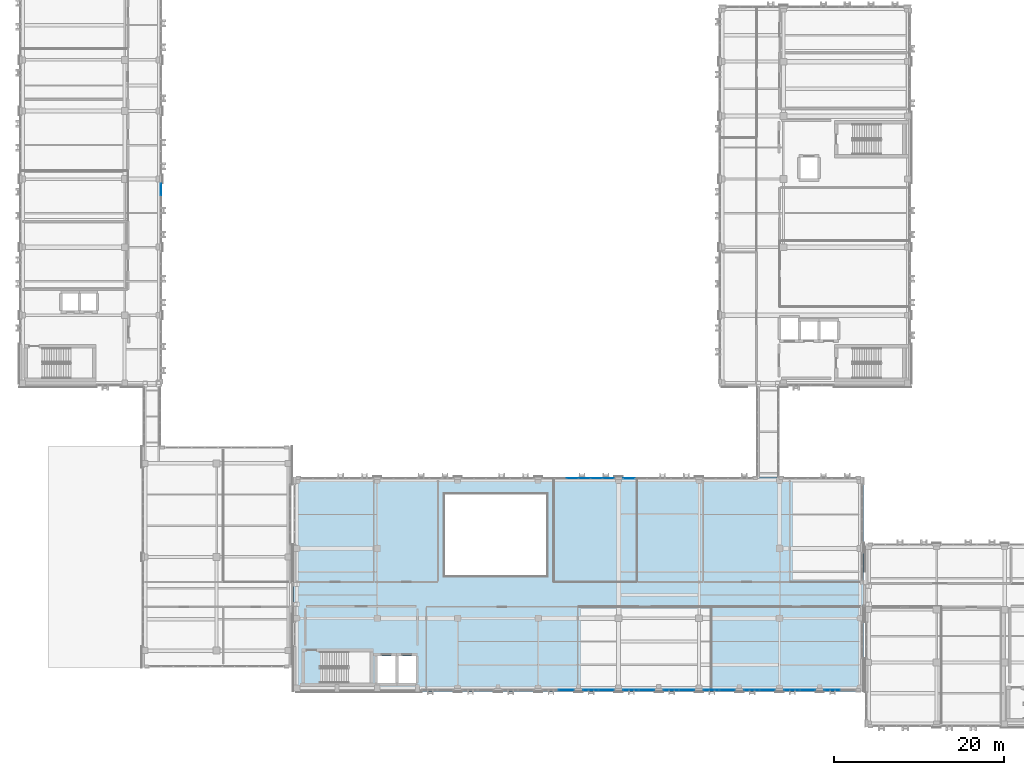
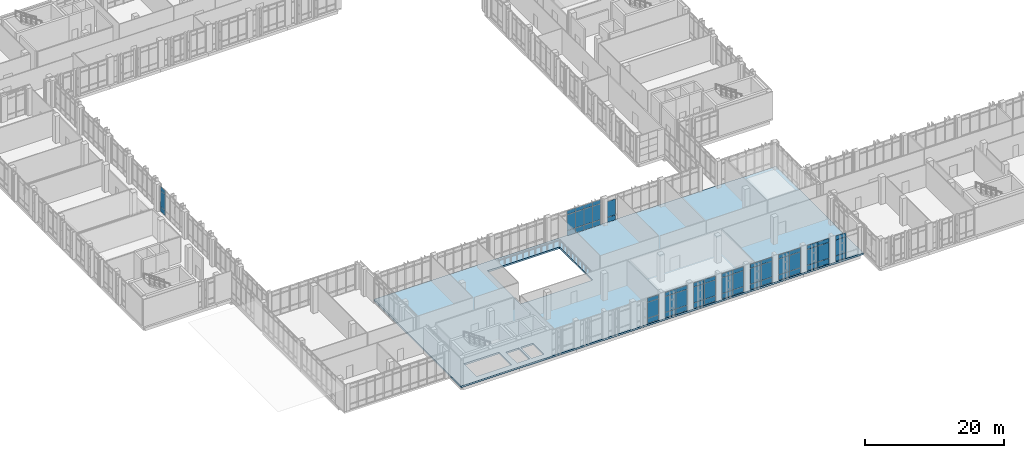
# One storey, part 134 of 189: 59 plates, 1 slab, 11 elements without a shape of their own.
"""IFC4 building model written with IfcOpenShell, lengths in metres."""

from ifc_helpers import new_model, si_unit, direction, frame, origin, origin_2d, place, context, subcontext, project, spatial, polyline, rectangle, outline, extrude, material, layer, layer_set, type_object, element, aggregate, save


model = new_model("IFC4")

# Units and contexts
model_context = context("Model", 3, precision=1e-05, world=origin(), true_north=direction((0.0, 1.0)))
body_context = subcontext(model_context, "Body", "Model", "MODEL_VIEW")
ifc_project = project(units=[si_unit("LENGTHUNIT", "METRE"), si_unit("AREAUNIT", "SQUARE_METRE"), si_unit("VOLUMEUNIT", "CUBIC_METRE"), si_unit("PLANEANGLEUNIT", "RADIAN"), si_unit("MASSUNIT", "GRAM", prefix="KILO")], contexts=[model_context])

# Site, building, storey
site_placement = place(None, origin())
site = spatial("IfcSite", under=ifc_project, at=site_placement, CompositionType="ELEMENT")
building_placement = place(site_placement, origin())
building = spatial("IfcBuilding", under=site, at=building_placement, Name="Qalavern Law Courts", CompositionType="ELEMENT")
storey_placement = place(building_placement, frame((0.0, 0.0, 5.39990234375)))
storey = spatial("IfcBuildingStorey", under=building, at=storey_placement, Name="L01", CompositionType="ELEMENT", Elevation=5.39990234375)

# Curtain wall, plates
ifc_material_1 = material(Name="Anodised aluminium and insulated glazing", Category="aluminium")
ifc_layer_1 = layer(ifc_material_1, 0.18505859375)
ifc_layer_set_1 = layer_set([ifc_layer_1], Name="Anodised aluminium and insulated glazing")
curtain_wall_type_1 = type_object("IfcCurtainWallType", Name="ENV-CW-HALL", PredefinedType="USERDEFINED", material=ifc_layer_set_1)
curtain_wall_1_placement = place(storey_placement, origin())
curtain_wall_1 = element("IfcCurtainWall", 1, at=curtain_wall_1_placement, inside=storey, type_object=curtain_wall_type_1, Name="V2 unitised curtain wall L01 south 4", ObjectType="UNITISED CURTAIN WALL", PredefinedType="USERDEFINED")
ifc_material_2 = material(Name="Insulated low-E acoustic glazing", Category="glass")
ifc_layer_2 = layer(ifc_material_2, 0.02392578125)
ifc_layer_set_2 = layer_set([ifc_layer_2], Name="Insulated low-E acoustic glazing")
plate_type_1 = type_object("IfcPlateType", Name="ENV-CWP-24", PredefinedType="CURTAIN_PANEL", material=ifc_layer_set_2)
plate_1_placement = place(storey_placement, frame((66.26611328125, 5.362548828125, 0.048095703125), z_axis=(0.0, 0.0, 1.0), x_axis=(1.0, 0.0, 0.0)))
plate_1 = element("IfcPlate", 2, at=plate_1_placement, type_object=plate_type_1, Name="CW-02 panel 2.1", PredefinedType="CURTAIN_PANEL", context=body_context, shape_type="SweptSolid", body=[
    extrude(rectangle(XDim=1.79150390625, YDim=0.02392578125, at=origin_2d()), origin(), (0.0, 0.0, 1.0), 0.8779296875),
])
plate_2_placement = place(storey_placement, frame((66.26611328125, 5.362548828125, 0.97412109375), z_axis=(0.0, 0.0, 1.0), x_axis=(1.0, 0.0, 0.0)))
plate_2 = element("IfcPlate", 3, at=plate_2_placement, type_object=plate_type_1, Name="CW-02 panel 2.2", PredefinedType="CURTAIN_PANEL", context=body_context, shape_type="SweptSolid", body=[
    extrude(rectangle(XDim=1.79150390625, YDim=0.02392578125, at=origin_2d()), origin(), (0.0, 0.0, 1.0), 2.761962890625),
])
plate_3_placement = place(storey_placement, frame((66.26611328125, 5.362548828125, 3.7841796875), z_axis=(0.0, 0.0, 1.0), x_axis=(1.0, 0.0, 0.0)))
plate_3 = element("IfcPlate", 4, at=plate_3_placement, type_object=plate_type_1, Name="CW-02 panel 2.3", PredefinedType="CURTAIN_PANEL", context=body_context, shape_type="SweptSolid", body=[
    extrude(rectangle(XDim=1.79150390625, YDim=0.02392578125, at=origin_2d()), origin(), (0.0, 0.0, 1.0), 0.677978515625),
])
aggregate(curtain_wall_1, [plate_1, plate_2, plate_3])

curtain_wall_2_placement = place(storey_placement, origin())
curtain_wall_2 = element("IfcCurtainWall", 5, at=curtain_wall_2_placement, inside=storey, type_object=curtain_wall_type_1, Name="V2 unitised curtain wall L01 north 3", ObjectType="UNITISED CURTAIN WALL", PredefinedType="USERDEFINED")
plate_4_placement = place(storey_placement, frame((71.220703125, 30.237548828125, 0.048095703125), z_axis=(0.0, 0.0, 1.0), x_axis=(-1.0, 0.0, 0.0)))
plate_4 = element("IfcPlate", 6, at=plate_4_placement, type_object=plate_type_1, Name="CW-02 panel 1.1", PredefinedType="CURTAIN_PANEL", context=body_context, shape_type="SweptSolid", body=[
    extrude(rectangle(XDim=1.3369140625, YDim=0.02392578125, at=origin_2d()), origin(), (0.0, 0.0, 1.0), 0.8779296875),
])
plate_5_placement = place(storey_placement, frame((71.220703125, 30.237548828125, 0.97412109375), z_axis=(0.0, 0.0, 1.0), x_axis=(-1.0, 0.0, 0.0)))
plate_5 = element("IfcPlate", 7, at=plate_5_placement, type_object=plate_type_1, Name="CW-02 panel 1.2", PredefinedType="CURTAIN_PANEL", context=body_context, shape_type="SweptSolid", body=[
    extrude(rectangle(XDim=1.3369140625, YDim=0.02392578125, at=origin_2d()), origin(), (0.0, 0.0, 1.0), 2.761962890625),
])
plate_6_placement = place(storey_placement, frame((71.220703125, 30.237548828125, 3.7841796875), z_axis=(0.0, 0.0, 1.0), x_axis=(-1.0, 0.0, 0.0)))
plate_6 = element("IfcPlate", 8, at=plate_6_placement, type_object=plate_type_1, Name="CW-02 panel 1.3", PredefinedType="CURTAIN_PANEL", context=body_context, shape_type="SweptSolid", body=[
    extrude(rectangle(XDim=1.3369140625, YDim=0.02392578125, at=origin_2d()), origin(), (0.0, 0.0, 1.0), 0.677978515625),
])
plate_7_placement = place(storey_placement, frame((69.823486328125, 30.237548828125, 0.048095703125), z_axis=(0.0, 0.0, 1.0), x_axis=(-1.0, 0.0, 0.0)))
plate_7 = element("IfcPlate", 9, at=plate_7_placement, type_object=plate_type_1, Name="CW-02 panel 2.1", PredefinedType="CURTAIN_PANEL", context=body_context, shape_type="SweptSolid", body=[
    extrude(rectangle(XDim=1.361083984375, YDim=0.02392578125, at=origin_2d()), origin(), (0.0, 0.0, 1.0), 0.8779296875),
])
plate_8_placement = place(storey_placement, frame((69.823486328125, 30.237548828125, 0.97412109375), z_axis=(0.0, 0.0, 1.0), x_axis=(-1.0, 0.0, 0.0)))
plate_8 = element("IfcPlate", 10, at=plate_8_placement, type_object=plate_type_1, Name="CW-02 panel 2.2", PredefinedType="CURTAIN_PANEL", context=body_context, shape_type="SweptSolid", body=[
    extrude(rectangle(XDim=1.361083984375, YDim=0.02392578125, at=origin_2d()), origin(), (0.0, 0.0, 1.0), 2.761962890625),
])
plate_9_placement = place(storey_placement, frame((69.823486328125, 30.237548828125, 3.7841796875), z_axis=(0.0, 0.0, 1.0), x_axis=(-1.0, 0.0, 0.0)))
plate_9 = element("IfcPlate", 11, at=plate_9_placement, type_object=plate_type_1, Name="CW-02 panel 2.3", PredefinedType="CURTAIN_PANEL", context=body_context, shape_type="SweptSolid", body=[
    extrude(rectangle(XDim=1.361083984375, YDim=0.02392578125, at=origin_2d()), origin(), (0.0, 0.0, 1.0), 0.677978515625),
])
plate_10_placement = place(storey_placement, frame((68.41455078125, 30.237548828125, 0.048095703125), z_axis=(0.0, 0.0, 1.0), x_axis=(-1.0, 0.0, 0.0)))
plate_10 = element("IfcPlate", 12, at=plate_10_placement, type_object=plate_type_1, Name="CW-02 panel 3.1", PredefinedType="CURTAIN_PANEL", context=body_context, shape_type="SweptSolid", body=[
    extrude(rectangle(XDim=1.361083984375, YDim=0.02392578125, at=origin_2d()), origin(), (0.0, 0.0, 1.0), 0.8779296875),
])
plate_11_placement = place(storey_placement, frame((68.41455078125, 30.237548828125, 0.97412109375), z_axis=(0.0, 0.0, 1.0), x_axis=(-1.0, 0.0, 0.0)))
plate_11 = element("IfcPlate", 13, at=plate_11_placement, type_object=plate_type_1, Name="CW-02 panel 3.2", PredefinedType="CURTAIN_PANEL", context=body_context, shape_type="SweptSolid", body=[
    extrude(rectangle(XDim=1.361083984375, YDim=0.02392578125, at=origin_2d()), origin(), (0.0, 0.0, 1.0), 2.761962890625),
])
plate_12_placement = place(storey_placement, frame((68.41455078125, 30.237548828125, 3.7841796875), z_axis=(0.0, 0.0, 1.0), x_axis=(-1.0, 0.0, 0.0)))
plate_12 = element("IfcPlate", 14, at=plate_12_placement, type_object=plate_type_1, Name="CW-02 panel 3.3", PredefinedType="CURTAIN_PANEL", context=body_context, shape_type="SweptSolid", body=[
    extrude(rectangle(XDim=1.361083984375, YDim=0.02392578125, at=origin_2d()), origin(), (0.0, 0.0, 1.0), 0.677978515625),
])
plate_13_placement = place(storey_placement, frame((67.00537109375, 30.237548828125, 0.048095703125), z_axis=(0.0, 0.0, 1.0), x_axis=(-1.0, 0.0, 0.0)))
plate_13 = element("IfcPlate", 15, at=plate_13_placement, type_object=plate_type_1, Name="CW-02 panel 4.1", PredefinedType="CURTAIN_PANEL", context=body_context, shape_type="SweptSolid", body=[
    extrude(rectangle(XDim=1.361083984375, YDim=0.02392578125, at=origin_2d()), origin(), (0.0, 0.0, 1.0), 0.8779296875),
])
plate_14_placement = place(storey_placement, frame((67.00537109375, 30.237548828125, 0.97412109375), z_axis=(0.0, 0.0, 1.0), x_axis=(-1.0, 0.0, 0.0)))
plate_14 = element("IfcPlate", 16, at=plate_14_placement, type_object=plate_type_1, Name="CW-02 panel 4.2", PredefinedType="CURTAIN_PANEL", context=body_context, shape_type="SweptSolid", body=[
    extrude(rectangle(XDim=1.361083984375, YDim=0.02392578125, at=origin_2d()), origin(), (0.0, 0.0, 1.0), 2.761962890625),
])
plate_15_placement = place(storey_placement, frame((67.00537109375, 30.237548828125, 3.7841796875), z_axis=(0.0, 0.0, 1.0), x_axis=(-1.0, 0.0, 0.0)))
plate_15 = element("IfcPlate", 17, at=plate_15_placement, type_object=plate_type_1, Name="CW-02 panel 4.3", PredefinedType="CURTAIN_PANEL", context=body_context, shape_type="SweptSolid", body=[
    extrude(rectangle(XDim=1.361083984375, YDim=0.02392578125, at=origin_2d()), origin(), (0.0, 0.0, 1.0), 0.677978515625),
])
aggregate(curtain_wall_2, [plate_4, plate_5, plate_6, plate_7, plate_8, plate_9, plate_10, plate_11, plate_12, plate_13, plate_14, plate_15])

curtain_wall_3_placement = place(storey_placement, origin())
curtain_wall_3 = element("IfcCurtainWall", 18, at=curtain_wall_3_placement, inside=storey, type_object=curtain_wall_type_1, Name="V2 unitised curtain wall L01 south 5", ObjectType="UNITISED CURTAIN WALL", PredefinedType="USERDEFINED")
ifc_layer_3 = layer(ifc_material_2, 0.028076171875)
ifc_layer_set_3 = layer_set([ifc_layer_3], Name="Insulated low-E acoustic glazing")
plate_type_2 = type_object("IfcPlateType", Name="ENV-CWP-28", PredefinedType="CURTAIN_PANEL", material=ifc_layer_set_3)
plate_16_placement = place(storey_placement, frame((69.15380859375, 5.362548828125, 0.048095703125), z_axis=(0.0, 0.0, 1.0), x_axis=(1.0, 0.0, 0.0)))
plate_16 = element("IfcPlate", 19, at=plate_16_placement, type_object=plate_type_2, Name="CW-02 panel 1.1", PredefinedType="CURTAIN_PANEL", context=body_context, shape_type="SweptSolid", body=[
    extrude(rectangle(XDim=1.79150390625, YDim=0.028076171875, at=origin_2d()), origin(), (0.0, 0.0, 1.0), 0.8779296875),
])
plate_17_placement = place(storey_placement, frame((69.15380859375, 5.362548828125, 0.97412109375), z_axis=(0.0, 0.0, 1.0), x_axis=(1.0, 0.0, 0.0)))
plate_17 = element("IfcPlate", 20, at=plate_17_placement, type_object=plate_type_2, Name="CW-02 panel 1.2", PredefinedType="CURTAIN_PANEL", context=body_context, shape_type="SweptSolid", body=[
    extrude(rectangle(XDim=1.79150390625, YDim=0.028076171875, at=origin_2d()), origin(), (0.0, 0.0, 1.0), 2.761962890625),
])
plate_18_placement = place(storey_placement, frame((69.15380859375, 5.362548828125, 3.7841796875), z_axis=(0.0, 0.0, 1.0), x_axis=(1.0, 0.0, 0.0)))
plate_18 = element("IfcPlate", 21, at=plate_18_placement, type_object=plate_type_2, Name="CW-02 panel 1.3", PredefinedType="CURTAIN_PANEL", context=body_context, shape_type="SweptSolid", body=[
    extrude(rectangle(XDim=1.79150390625, YDim=0.028076171875, at=origin_2d()), origin(), (0.0, 0.0, 1.0), 0.677978515625),
])
plate_19_placement = place(storey_placement, frame((70.993408203125, 5.362548828125, 0.048095703125), z_axis=(0.0, 0.0, 1.0), x_axis=(1.0, 0.0, 0.0)))
plate_19 = element("IfcPlate", 22, at=plate_19_placement, type_object=plate_type_2, Name="CW-02 panel 2.1", PredefinedType="CURTAIN_PANEL", context=body_context, shape_type="SweptSolid", body=[
    extrude(rectangle(XDim=1.79150390625, YDim=0.028076171875, at=origin_2d()), origin(), (0.0, 0.0, 1.0), 0.8779296875),
])
plate_20_placement = place(storey_placement, frame((70.993408203125, 5.362548828125, 0.97412109375), z_axis=(0.0, 0.0, 1.0), x_axis=(1.0, 0.0, 0.0)))
plate_20 = element("IfcPlate", 23, at=plate_20_placement, type_object=plate_type_2, Name="CW-02 panel 2.2", PredefinedType="CURTAIN_PANEL", context=body_context, shape_type="SweptSolid", body=[
    extrude(rectangle(XDim=1.79150390625, YDim=0.028076171875, at=origin_2d()), origin(), (0.0, 0.0, 1.0), 2.761962890625),
])
plate_21_placement = place(storey_placement, frame((70.993408203125, 5.362548828125, 3.7841796875), z_axis=(0.0, 0.0, 1.0), x_axis=(1.0, 0.0, 0.0)))
plate_21 = element("IfcPlate", 24, at=plate_21_placement, type_object=plate_type_2, Name="CW-02 panel 2.3", PredefinedType="CURTAIN_PANEL", context=body_context, shape_type="SweptSolid", body=[
    extrude(rectangle(XDim=1.79150390625, YDim=0.028076171875, at=origin_2d()), origin(), (0.0, 0.0, 1.0), 0.677978515625),
])
aggregate(curtain_wall_3, [plate_16, plate_17, plate_18, plate_19, plate_20, plate_21])

curtain_wall_4_placement = place(storey_placement, origin())
curtain_wall_4 = element("IfcCurtainWall", 25, at=curtain_wall_4_placement, inside=storey, type_object=curtain_wall_type_1, Name="V2 unitised curtain wall L01 south 6", ObjectType="UNITISED CURTAIN WALL", PredefinedType="USERDEFINED")
ifc_layer_4 = layer(ifc_material_2, 0.031982421875)
ifc_layer_set_4 = layer_set([ifc_layer_4], Name="Insulated low-E acoustic glazing")
plate_type_3 = type_object("IfcPlateType", Name="ENV-CWP-32", PredefinedType="CURTAIN_PANEL", material=ifc_layer_set_4)
plate_22_placement = place(storey_placement, frame((73.880859375, 5.362548828125, 0.048095703125), z_axis=(0.0, 0.0, 1.0), x_axis=(1.0, 0.0, 0.0)))
plate_22 = element("IfcPlate", 26, at=plate_22_placement, type_object=plate_type_3, Name="CW-02 panel 1.1", PredefinedType="CURTAIN_PANEL", context=body_context, shape_type="SweptSolid", body=[
    extrude(rectangle(XDim=1.79150390625, YDim=0.031982421875, at=origin_2d()), origin(), (0.0, 0.0, 1.0), 0.8779296875),
])
plate_23_placement = place(storey_placement, frame((73.880859375, 5.362548828125, 0.97412109375), z_axis=(0.0, 0.0, 1.0), x_axis=(1.0, 0.0, 0.0)))
plate_23 = element("IfcPlate", 27, at=plate_23_placement, type_object=plate_type_3, Name="CW-02 panel 1.2", PredefinedType="CURTAIN_PANEL", context=body_context, shape_type="SweptSolid", body=[
    extrude(rectangle(XDim=1.79150390625, YDim=0.031982421875, at=origin_2d()), origin(), (0.0, 0.0, 1.0), 2.761962890625),
])
plate_24_placement = place(storey_placement, frame((73.880859375, 5.362548828125, 3.7841796875), z_axis=(0.0, 0.0, 1.0), x_axis=(1.0, 0.0, 0.0)))
plate_24 = element("IfcPlate", 28, at=plate_24_placement, type_object=plate_type_3, Name="CW-02 panel 1.3", PredefinedType="CURTAIN_PANEL", context=body_context, shape_type="SweptSolid", body=[
    extrude(rectangle(XDim=1.79150390625, YDim=0.031982421875, at=origin_2d()), origin(), (0.0, 0.0, 1.0), 0.677978515625),
])
plate_25_placement = place(storey_placement, frame((75.72021484375, 5.362548828125, 0.048095703125), z_axis=(0.0, 0.0, 1.0), x_axis=(1.0, 0.0, 0.0)))
plate_25 = element("IfcPlate", 29, at=plate_25_placement, type_object=plate_type_3, Name="CW-02 panel 2.1", PredefinedType="CURTAIN_PANEL", context=body_context, shape_type="SweptSolid", body=[
    extrude(rectangle(XDim=1.79150390625, YDim=0.031982421875, at=origin_2d()), origin(), (0.0, 0.0, 1.0), 0.8779296875),
])
plate_26_placement = place(storey_placement, frame((75.72021484375, 5.362548828125, 0.97412109375), z_axis=(0.0, 0.0, 1.0), x_axis=(1.0, 0.0, 0.0)))
plate_26 = element("IfcPlate", 30, at=plate_26_placement, type_object=plate_type_3, Name="CW-02 panel 2.2", PredefinedType="CURTAIN_PANEL", context=body_context, shape_type="SweptSolid", body=[
    extrude(rectangle(XDim=1.79150390625, YDim=0.031982421875, at=origin_2d()), origin(), (0.0, 0.0, 1.0), 2.761962890625),
])
plate_27_placement = place(storey_placement, frame((75.72021484375, 5.362548828125, 3.7841796875), z_axis=(0.0, 0.0, 1.0), x_axis=(1.0, 0.0, 0.0)))
plate_27 = element("IfcPlate", 31, at=plate_27_placement, type_object=plate_type_3, Name="CW-02 panel 2.3", PredefinedType="CURTAIN_PANEL", context=body_context, shape_type="SweptSolid", body=[
    extrude(rectangle(XDim=1.79150390625, YDim=0.031982421875, at=origin_2d()), origin(), (0.0, 0.0, 1.0), 0.677978515625),
])
aggregate(curtain_wall_4, [plate_22, plate_23, plate_24, plate_25, plate_26, plate_27])

curtain_wall_5_placement = place(storey_placement, origin())
curtain_wall_5 = element("IfcCurtainWall", 32, at=curtain_wall_5_placement, inside=storey, type_object=curtain_wall_type_1, Name="V2 unitised curtain wall L01 south 7", ObjectType="UNITISED CURTAIN WALL", PredefinedType="USERDEFINED")
ifc_layer_5 = layer(ifc_material_2, 0.035888671875)
ifc_layer_set_5 = layer_set([ifc_layer_5], Name="Insulated low-E acoustic glazing")
plate_type_4 = type_object("IfcPlateType", Name="ENV-CWP-36", PredefinedType="CURTAIN_PANEL", material=ifc_layer_set_5)
plate_28_placement = place(storey_placement, frame((78.60791015625, 5.362548828125, 0.048095703125), z_axis=(0.0, 0.0, 1.0), x_axis=(1.0, 0.0, 0.0)))
plate_28 = element("IfcPlate", 33, at=plate_28_placement, type_object=plate_type_4, Name="CW-02 panel 1.1", PredefinedType="CURTAIN_PANEL", context=body_context, shape_type="SweptSolid", body=[
    extrude(rectangle(XDim=1.791748046875, YDim=0.035888671875, at=origin_2d()), origin(), (0.0, 0.0, 1.0), 0.8779296875),
])
plate_29_placement = place(storey_placement, frame((78.60791015625, 5.362548828125, 0.97412109375), z_axis=(0.0, 0.0, 1.0), x_axis=(1.0, 0.0, 0.0)))
plate_29 = element("IfcPlate", 34, at=plate_29_placement, type_object=plate_type_4, Name="CW-02 panel 1.2", PredefinedType="CURTAIN_PANEL", context=body_context, shape_type="SweptSolid", body=[
    extrude(rectangle(XDim=1.791748046875, YDim=0.035888671875, at=origin_2d()), origin(), (0.0, 0.0, 1.0), 2.761962890625),
])
plate_30_placement = place(storey_placement, frame((78.60791015625, 5.362548828125, 3.7841796875), z_axis=(0.0, 0.0, 1.0), x_axis=(1.0, 0.0, 0.0)))
plate_30 = element("IfcPlate", 35, at=plate_30_placement, type_object=plate_type_4, Name="CW-02 panel 1.3", PredefinedType="CURTAIN_PANEL", context=body_context, shape_type="SweptSolid", body=[
    extrude(rectangle(XDim=1.791748046875, YDim=0.035888671875, at=origin_2d()), origin(), (0.0, 0.0, 1.0), 0.677978515625),
])
plate_31_placement = place(storey_placement, frame((80.447509765625, 5.362548828125, 0.048095703125), z_axis=(0.0, 0.0, 1.0), x_axis=(1.0, 0.0, 0.0)))
plate_31 = element("IfcPlate", 36, at=plate_31_placement, type_object=plate_type_4, Name="CW-02 panel 2.1", PredefinedType="CURTAIN_PANEL", context=body_context, shape_type="SweptSolid", body=[
    extrude(rectangle(XDim=1.791748046875, YDim=0.035888671875, at=origin_2d()), origin(), (0.0, 0.0, 1.0), 0.8779296875),
])
plate_32_placement = place(storey_placement, frame((80.447509765625, 5.362548828125, 0.97412109375), z_axis=(0.0, 0.0, 1.0), x_axis=(1.0, 0.0, 0.0)))
plate_32 = element("IfcPlate", 37, at=plate_32_placement, type_object=plate_type_4, Name="CW-02 panel 2.2", PredefinedType="CURTAIN_PANEL", context=body_context, shape_type="SweptSolid", body=[
    extrude(rectangle(XDim=1.791748046875, YDim=0.035888671875, at=origin_2d()), origin(), (0.0, 0.0, 1.0), 2.761962890625),
])
plate_33_placement = place(storey_placement, frame((80.447509765625, 5.362548828125, 3.7841796875), z_axis=(0.0, 0.0, 1.0), x_axis=(1.0, 0.0, 0.0)))
plate_33 = element("IfcPlate", 38, at=plate_33_placement, type_object=plate_type_4, Name="CW-02 panel 2.3", PredefinedType="CURTAIN_PANEL", context=body_context, shape_type="SweptSolid", body=[
    extrude(rectangle(XDim=1.791748046875, YDim=0.035888671875, at=origin_2d()), origin(), (0.0, 0.0, 1.0), 0.677978515625),
])
aggregate(curtain_wall_5, [plate_28, plate_29, plate_30, plate_31, plate_32, plate_33])

curtain_wall_6_placement = place(storey_placement, origin())
curtain_wall_6 = element("IfcCurtainWall", 39, at=curtain_wall_6_placement, inside=storey, type_object=curtain_wall_type_1, Name="V2 unitised curtain wall L01 south 8", ObjectType="UNITISED CURTAIN WALL", PredefinedType="USERDEFINED")
ifc_layer_6 = layer(ifc_material_2, 0.0400390625)
ifc_layer_set_6 = layer_set([ifc_layer_6], Name="Insulated low-E acoustic glazing")
plate_type_5 = type_object("IfcPlateType", Name="ENV-CWP-40", PredefinedType="CURTAIN_PANEL", material=ifc_layer_set_6)
plate_34_placement = place(storey_placement, frame((83.335205078125, 5.362548828125, 0.048095703125), z_axis=(0.0, 0.0, 1.0), x_axis=(1.0, 0.0, 0.0)))
plate_34 = element("IfcPlate", 40, at=plate_34_placement, type_object=plate_type_5, Name="CW-02 panel 1.1", PredefinedType="CURTAIN_PANEL", context=body_context, shape_type="SweptSolid", body=[
    extrude(rectangle(XDim=1.791748046875, YDim=0.0400390625, at=origin_2d()), origin(), (0.0, 0.0, 1.0), 0.8779296875),
])
plate_35_placement = place(storey_placement, frame((83.335205078125, 5.362548828125, 0.97412109375), z_axis=(0.0, 0.0, 1.0), x_axis=(1.0, 0.0, 0.0)))
plate_35 = element("IfcPlate", 41, at=plate_35_placement, type_object=plate_type_5, Name="CW-02 panel 1.2", PredefinedType="CURTAIN_PANEL", context=body_context, shape_type="SweptSolid", body=[
    extrude(rectangle(XDim=1.791748046875, YDim=0.0400390625, at=origin_2d()), origin(), (0.0, 0.0, 1.0), 2.761962890625),
])
plate_36_placement = place(storey_placement, frame((83.335205078125, 5.362548828125, 3.7841796875), z_axis=(0.0, 0.0, 1.0), x_axis=(1.0, 0.0, 0.0)))
plate_36 = element("IfcPlate", 42, at=plate_36_placement, type_object=plate_type_5, Name="CW-02 panel 1.3", PredefinedType="CURTAIN_PANEL", context=body_context, shape_type="SweptSolid", body=[
    extrude(rectangle(XDim=1.791748046875, YDim=0.0400390625, at=origin_2d()), origin(), (0.0, 0.0, 1.0), 0.677978515625),
])
plate_37_placement = place(storey_placement, frame((85.175048828125, 5.362548828125, 0.048095703125), z_axis=(0.0, 0.0, 1.0), x_axis=(1.0, 0.0, 0.0)))
plate_37 = element("IfcPlate", 43, at=plate_37_placement, type_object=plate_type_5, Name="CW-02 panel 2.1", PredefinedType="CURTAIN_PANEL", context=body_context, shape_type="SweptSolid", body=[
    extrude(rectangle(XDim=1.791748046875, YDim=0.0400390625, at=origin_2d()), origin(), (0.0, 0.0, 1.0), 0.8779296875),
])
plate_38_placement = place(storey_placement, frame((85.175048828125, 5.362548828125, 0.97412109375), z_axis=(0.0, 0.0, 1.0), x_axis=(1.0, 0.0, 0.0)))
plate_38 = element("IfcPlate", 44, at=plate_38_placement, type_object=plate_type_5, Name="CW-02 panel 2.2", PredefinedType="CURTAIN_PANEL", context=body_context, shape_type="SweptSolid", body=[
    extrude(rectangle(XDim=1.791748046875, YDim=0.0400390625, at=origin_2d()), origin(), (0.0, 0.0, 1.0), 2.761962890625),
])
plate_39_placement = place(storey_placement, frame((85.175048828125, 5.362548828125, 3.7841796875), z_axis=(0.0, 0.0, 1.0), x_axis=(1.0, 0.0, 0.0)))
plate_39 = element("IfcPlate", 45, at=plate_39_placement, type_object=plate_type_5, Name="CW-02 panel 2.3", PredefinedType="CURTAIN_PANEL", context=body_context, shape_type="SweptSolid", body=[
    extrude(rectangle(XDim=1.791748046875, YDim=0.0400390625, at=origin_2d()), origin(), (0.0, 0.0, 1.0), 0.677978515625),
])
aggregate(curtain_wall_6, [plate_34, plate_35, plate_36, plate_37, plate_38, plate_39])

curtain_wall_7_placement = place(storey_placement, origin())
curtain_wall_7 = element("IfcCurtainWall", 46, at=curtain_wall_7_placement, inside=storey, type_object=curtain_wall_type_1, Name="V2 unitised curtain wall L01 south 9", ObjectType="UNITISED CURTAIN WALL", PredefinedType="USERDEFINED")
ifc_layer_7 = layer(ifc_material_2, 0.0439453125)
ifc_layer_set_7 = layer_set([ifc_layer_7], Name="Insulated low-E acoustic glazing")
plate_type_6 = type_object("IfcPlateType", Name="ENV-CWP-44", PredefinedType="CURTAIN_PANEL", material=ifc_layer_set_7)
plate_40_placement = place(storey_placement, frame((88.062744140625, 5.362548828125, 0.048095703125), z_axis=(0.0, 0.0, 1.0), x_axis=(1.0, 0.0, 0.0)))
plate_40 = element("IfcPlate", 47, at=plate_40_placement, type_object=plate_type_6, Name="CW-02 panel 1.1", PredefinedType="CURTAIN_PANEL", context=body_context, shape_type="SweptSolid", body=[
    extrude(rectangle(XDim=1.791259765625, YDim=0.0439453125, at=origin_2d()), origin(), (0.0, 0.0, 1.0), 0.8779296875),
])
plate_41_placement = place(storey_placement, frame((88.062744140625, 5.362548828125, 0.97412109375), z_axis=(0.0, 0.0, 1.0), x_axis=(1.0, 0.0, 0.0)))
plate_41 = element("IfcPlate", 48, at=plate_41_placement, type_object=plate_type_6, Name="CW-02 panel 1.2", PredefinedType="CURTAIN_PANEL", context=body_context, shape_type="SweptSolid", body=[
    extrude(rectangle(XDim=1.791259765625, YDim=0.0439453125, at=origin_2d()), origin(), (0.0, 0.0, 1.0), 2.761962890625),
])
plate_42_placement = place(storey_placement, frame((88.062744140625, 5.362548828125, 3.7841796875), z_axis=(0.0, 0.0, 1.0), x_axis=(1.0, 0.0, 0.0)))
plate_42 = element("IfcPlate", 49, at=plate_42_placement, type_object=plate_type_6, Name="CW-02 panel 1.3", PredefinedType="CURTAIN_PANEL", context=body_context, shape_type="SweptSolid", body=[
    extrude(rectangle(XDim=1.791259765625, YDim=0.0439453125, at=origin_2d()), origin(), (0.0, 0.0, 1.0), 0.677978515625),
])
plate_43_placement = place(storey_placement, frame((89.902099609375, 5.362548828125, 0.048095703125), z_axis=(0.0, 0.0, 1.0), x_axis=(1.0, 0.0, 0.0)))
plate_43 = element("IfcPlate", 50, at=plate_43_placement, type_object=plate_type_6, Name="CW-02 panel 2.1", PredefinedType="CURTAIN_PANEL", context=body_context, shape_type="SweptSolid", body=[
    extrude(rectangle(XDim=1.791259765625, YDim=0.0439453125, at=origin_2d()), origin(), (0.0, 0.0, 1.0), 0.8779296875),
])
plate_44_placement = place(storey_placement, frame((89.902099609375, 5.362548828125, 0.97412109375), z_axis=(0.0, 0.0, 1.0), x_axis=(1.0, 0.0, 0.0)))
plate_44 = element("IfcPlate", 51, at=plate_44_placement, type_object=plate_type_6, Name="CW-02 panel 2.2", PredefinedType="CURTAIN_PANEL", context=body_context, shape_type="SweptSolid", body=[
    extrude(rectangle(XDim=1.791259765625, YDim=0.0439453125, at=origin_2d()), origin(), (0.0, 0.0, 1.0), 2.761962890625),
])
plate_45_placement = place(storey_placement, frame((89.902099609375, 5.362548828125, 3.7841796875), z_axis=(0.0, 0.0, 1.0), x_axis=(1.0, 0.0, 0.0)))
plate_45 = element("IfcPlate", 52, at=plate_45_placement, type_object=plate_type_6, Name="CW-02 panel 2.3", PredefinedType="CURTAIN_PANEL", context=body_context, shape_type="SweptSolid", body=[
    extrude(rectangle(XDim=1.791259765625, YDim=0.0439453125, at=origin_2d()), origin(), (0.0, 0.0, 1.0), 0.677978515625),
])
aggregate(curtain_wall_7, [plate_40, plate_41, plate_42, plate_43, plate_44, plate_45])

curtain_wall_8_placement = place(storey_placement, origin())
curtain_wall_8 = element("IfcCurtainWall", 53, at=curtain_wall_8_placement, inside=storey, type_object=curtain_wall_type_1, Name="V2 unitised curtain wall L01 south 10", ObjectType="UNITISED CURTAIN WALL", PredefinedType="USERDEFINED")
ifc_layer_8 = layer(ifc_material_2, 0.048095703125)
ifc_layer_set_8 = layer_set([ifc_layer_8], Name="Insulated low-E acoustic glazing")
plate_type_7 = type_object("IfcPlateType", Name="ENV-CWP-48", PredefinedType="CURTAIN_PANEL", material=ifc_layer_set_8)
plate_46_placement = place(storey_placement, frame((92.78955078125, 5.362548828125, 0.048095703125), z_axis=(0.0, 0.0, 1.0), x_axis=(1.0, 0.0, 0.0)))
plate_46 = element("IfcPlate", 54, at=plate_46_placement, type_object=plate_type_7, Name="CW-02 panel 1.1", PredefinedType="CURTAIN_PANEL", context=body_context, shape_type="SweptSolid", body=[
    extrude(rectangle(XDim=1.791748046875, YDim=0.048095703125, at=origin_2d()), origin(), (0.0, 0.0, 1.0), 0.8779296875),
])
plate_47_placement = place(storey_placement, frame((92.78955078125, 5.362548828125, 0.97412109375), z_axis=(0.0, 0.0, 1.0), x_axis=(1.0, 0.0, 0.0)))
plate_47 = element("IfcPlate", 55, at=plate_47_placement, type_object=plate_type_7, Name="CW-02 panel 1.2", PredefinedType="CURTAIN_PANEL", context=body_context, shape_type="SweptSolid", body=[
    extrude(rectangle(XDim=1.791748046875, YDim=0.048095703125, at=origin_2d()), origin(), (0.0, 0.0, 1.0), 2.761962890625),
])
plate_48_placement = place(storey_placement, frame((92.78955078125, 5.362548828125, 3.7841796875), z_axis=(0.0, 0.0, 1.0), x_axis=(1.0, 0.0, 0.0)))
plate_48 = element("IfcPlate", 56, at=plate_48_placement, type_object=plate_type_7, Name="CW-02 panel 1.3", PredefinedType="CURTAIN_PANEL", context=body_context, shape_type="SweptSolid", body=[
    extrude(rectangle(XDim=1.791748046875, YDim=0.048095703125, at=origin_2d()), origin(), (0.0, 0.0, 1.0), 0.677978515625),
])
plate_49_placement = place(storey_placement, frame((94.629150390625, 5.362548828125, 0.048095703125), z_axis=(0.0, 0.0, 1.0), x_axis=(1.0, 0.0, 0.0)))
plate_49 = element("IfcPlate", 57, at=plate_49_placement, type_object=plate_type_7, Name="CW-02 panel 2.1", PredefinedType="CURTAIN_PANEL", context=body_context, shape_type="SweptSolid", body=[
    extrude(rectangle(XDim=1.791748046875, YDim=0.048095703125, at=origin_2d()), origin(), (0.0, 0.0, 1.0), 0.8779296875),
])
plate_50_placement = place(storey_placement, frame((94.629150390625, 5.362548828125, 0.97412109375), z_axis=(0.0, 0.0, 1.0), x_axis=(1.0, 0.0, 0.0)))
plate_50 = element("IfcPlate", 58, at=plate_50_placement, type_object=plate_type_7, Name="CW-02 panel 2.2", PredefinedType="CURTAIN_PANEL", context=body_context, shape_type="SweptSolid", body=[
    extrude(rectangle(XDim=1.791748046875, YDim=0.048095703125, at=origin_2d()), origin(), (0.0, 0.0, 1.0), 2.761962890625),
])
plate_51_placement = place(storey_placement, frame((94.629150390625, 5.362548828125, 3.7841796875), z_axis=(0.0, 0.0, 1.0), x_axis=(1.0, 0.0, 0.0)))
plate_51 = element("IfcPlate", 59, at=plate_51_placement, type_object=plate_type_7, Name="CW-02 panel 2.3", PredefinedType="CURTAIN_PANEL", context=body_context, shape_type="SweptSolid", body=[
    extrude(rectangle(XDim=1.791748046875, YDim=0.048095703125, at=origin_2d()), origin(), (0.0, 0.0, 1.0), 0.677978515625),
])
aggregate(curtain_wall_8, [plate_46, plate_47, plate_48, plate_49, plate_50, plate_51])

curtain_wall_9_placement = place(storey_placement, origin())
curtain_wall_9 = element("IfcCurtainWall", 60, at=curtain_wall_9_placement, inside=storey, type_object=curtain_wall_type_1, Name="V2 unitised curtain wall L01 south 11", ObjectType="UNITISED CURTAIN WALL", PredefinedType="USERDEFINED")
ifc_layer_9 = layer(ifc_material_2, 0.052001953125)
ifc_layer_set_9 = layer_set([ifc_layer_9], Name="Insulated low-E acoustic glazing")
plate_type_8 = type_object("IfcPlateType", Name="ENV-CWP-52", PredefinedType="CURTAIN_PANEL", material=ifc_layer_set_9)
plate_52_placement = place(storey_placement, frame((97.516845703125, 5.362548828125, 0.048095703125), z_axis=(0.0, 0.0, 1.0), x_axis=(1.0, 0.0, 0.0)))
plate_52 = element("IfcPlate", 61, at=plate_52_placement, type_object=plate_type_8, Name="CW-02 panel 1.1", PredefinedType="CURTAIN_PANEL", context=body_context, shape_type="SweptSolid", body=[
    extrude(rectangle(XDim=1.79150390625, YDim=0.052001953125, at=origin_2d()), origin(), (0.0, 0.0, 1.0), 0.8779296875),
])
plate_53_placement = place(storey_placement, frame((97.516845703125, 5.362548828125, 0.97412109375), z_axis=(0.0, 0.0, 1.0), x_axis=(1.0, 0.0, 0.0)))
plate_53 = element("IfcPlate", 62, at=plate_53_placement, type_object=plate_type_8, Name="CW-02 panel 1.2", PredefinedType="CURTAIN_PANEL", context=body_context, shape_type="SweptSolid", body=[
    extrude(rectangle(XDim=1.79150390625, YDim=0.052001953125, at=origin_2d()), origin(), (0.0, 0.0, 1.0), 2.761962890625),
])
plate_54_placement = place(storey_placement, frame((97.516845703125, 5.362548828125, 3.7841796875), z_axis=(0.0, 0.0, 1.0), x_axis=(1.0, 0.0, 0.0)))
plate_54 = element("IfcPlate", 63, at=plate_54_placement, type_object=plate_type_8, Name="CW-02 panel 1.3", PredefinedType="CURTAIN_PANEL", context=body_context, shape_type="SweptSolid", body=[
    extrude(rectangle(XDim=1.79150390625, YDim=0.052001953125, at=origin_2d()), origin(), (0.0, 0.0, 1.0), 0.677978515625),
])
aggregate(curtain_wall_9, [plate_52, plate_53, plate_54])

curtain_wall_10_placement = place(storey_placement, origin())
curtain_wall_10 = element("IfcCurtainWall", 64, at=curtain_wall_10_placement, inside=storey, type_object=curtain_wall_type_1, Name="V2 unitised curtain wall L01 north 2", ObjectType="UNITISED CURTAIN WALL", PredefinedType="USERDEFINED")
plate_55_placement = place(storey_placement, frame((73.653564453125, 30.237548828125, 0.048095703125), z_axis=(0.0, 0.0, 1.0), x_axis=(-1.0, 0.0, 0.0)))
plate_55 = element("IfcPlate", 65, at=plate_55_placement, type_object=plate_type_8, Name="CW-02 panel 6.1", PredefinedType="CURTAIN_PANEL", context=body_context, shape_type="SweptSolid", body=[
    extrude(rectangle(XDim=1.337158203125, YDim=0.052001953125, at=origin_2d()), origin(), (0.0, 0.0, 1.0), 0.8779296875),
])
plate_56_placement = place(storey_placement, frame((73.653564453125, 30.237548828125, 0.97412109375), z_axis=(0.0, 0.0, 1.0), x_axis=(-1.0, 0.0, 0.0)))
plate_56 = element("IfcPlate", 66, at=plate_56_placement, type_object=plate_type_8, Name="CW-02 panel 6.2", PredefinedType="CURTAIN_PANEL", context=body_context, shape_type="SweptSolid", body=[
    extrude(rectangle(XDim=1.337158203125, YDim=0.052001953125, at=origin_2d()), origin(), (0.0, 0.0, 1.0), 2.761962890625),
])
aggregate(curtain_wall_10, [plate_55, plate_56])

ifc_layer_10 = layer(ifc_material_1, 0.172119140625)
ifc_layer_set_10 = layer_set([ifc_layer_10], Name="Anodised aluminium and insulated glazing")
curtain_wall_type_2 = type_object("IfcCurtainWallType", Name="ENV-CW-COURT", PredefinedType="USERDEFINED", material=ifc_layer_set_10)
curtain_wall_11_placement = place(storey_placement, origin())
curtain_wall_11 = element("IfcCurtainWall", 67, at=curtain_wall_11_placement, inside=storey, type_object=curtain_wall_type_2, Name="V3 unitised curtain wall L01 east 3", ObjectType="UNITISED CURTAIN WALL", PredefinedType="USERDEFINED")
plate_57_placement = place(storey_placement, frame((18.637451171875, 64.18798828125, 0.048095703125), z_axis=(0.0, 0.0, 1.0), x_axis=(0.0, 1.0, 0.0)))
plate_57 = element("IfcPlate", 68, at=plate_57_placement, type_object=plate_type_8, Name="CW-03 panel 5.1", PredefinedType="CURTAIN_PANEL", context=body_context, shape_type="SweptSolid", body=[
    extrude(rectangle(XDim=1.327880859375, YDim=0.052001953125, at=origin_2d()), origin(), (0.0, 0.0, 1.0), 0.8779296875),
])
plate_58_placement = place(storey_placement, frame((18.637451171875, 64.18798828125, 0.97412109375), z_axis=(0.0, 0.0, 1.0), x_axis=(0.0, 1.0, 0.0)))
plate_58 = element("IfcPlate", 69, at=plate_58_placement, type_object=plate_type_8, Name="CW-03 panel 5.2", PredefinedType="CURTAIN_PANEL", context=body_context, shape_type="SweptSolid", body=[
    extrude(rectangle(XDim=1.327880859375, YDim=0.052001953125, at=origin_2d()), origin(), (0.0, 0.0, 1.0), 2.761962890625),
])
plate_59_placement = place(storey_placement, frame((18.637451171875, 64.18798828125, 3.7841796875), z_axis=(0.0, 0.0, 1.0), x_axis=(0.0, 1.0, 0.0)))
plate_59 = element("IfcPlate", 70, at=plate_59_placement, type_object=plate_type_8, Name="CW-03 panel 5.3", PredefinedType="CURTAIN_PANEL", context=body_context, shape_type="SweptSolid", body=[
    extrude(rectangle(XDim=1.327880859375, YDim=0.052001953125, at=origin_2d()), origin(), (0.0, 0.0, 1.0), 0.677978515625),
])
aggregate(curtain_wall_11, [plate_57, plate_58, plate_59])

# Slab
ifc_material_3 = material(Name="Concrete C40/50", Category="concrete")
ifc_layer_11 = layer(ifc_material_3, 0.300048828125)
ifc_layer_set_11 = layer_set([ifc_layer_11], Name="Concrete C40/50")
slab_type = type_object("IfcSlabType", Name="STR-SLB-L01-300", PredefinedType="FLOOR", material=ifc_layer_set_11)
slab_placement = place(storey_placement, frame((0.0, 0.0, -0.2998046875)))
element("IfcSlab", 71, at=slab_placement, inside=storey, type_object=slab_type, Name="V2 floor slab L01", PredefinedType="FLOOR", context=body_context, shape_type="SweptSolid", body=[
    extrude(outline(polyline([(34.219970703125, 5.199951171875), (101.199951171875, 5.199951171875), (101.199951171875, 30.39990234375), (34.219970703125, 30.39990234375), (34.219970703125, 5.199951171875)]), holes=[polyline([(37.389892578125, 6.199951171875), (43.199951171875, 6.199951171875), (43.199951171875, 9.85009765625), (37.389892578125, 9.85009765625), (37.389892578125, 6.199951171875)]), polyline([(44.10009765625, 6.199951171875), (46.199951171875, 6.199951171875), (46.199951171875, 9.35009765625), (44.10009765625, 9.35009765625), (44.10009765625, 6.199951171875)]), polyline([(46.5, 6.199951171875), (48.60009765625, 6.199951171875), (48.60009765625, 9.35009765625), (46.5, 9.35009765625), (46.5, 6.199951171875)]), polyline([(52.0, 18.800048828125), (64.0, 18.800048828125), (64.0, 28.39990234375), (52.0, 28.39990234375), (52.0, 18.800048828125)])]), origin(), (0.0, 0.0, 1.0), 0.2998046875),
])

save(model, "model.ifc")
